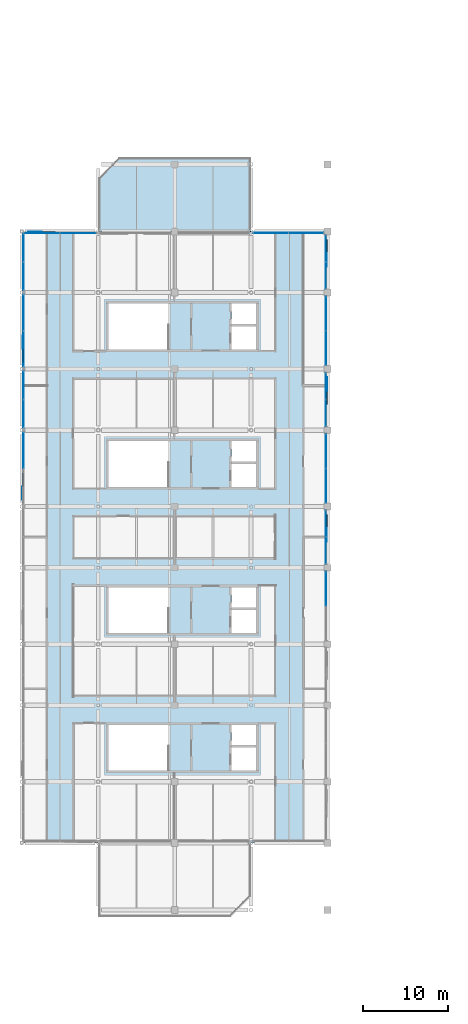
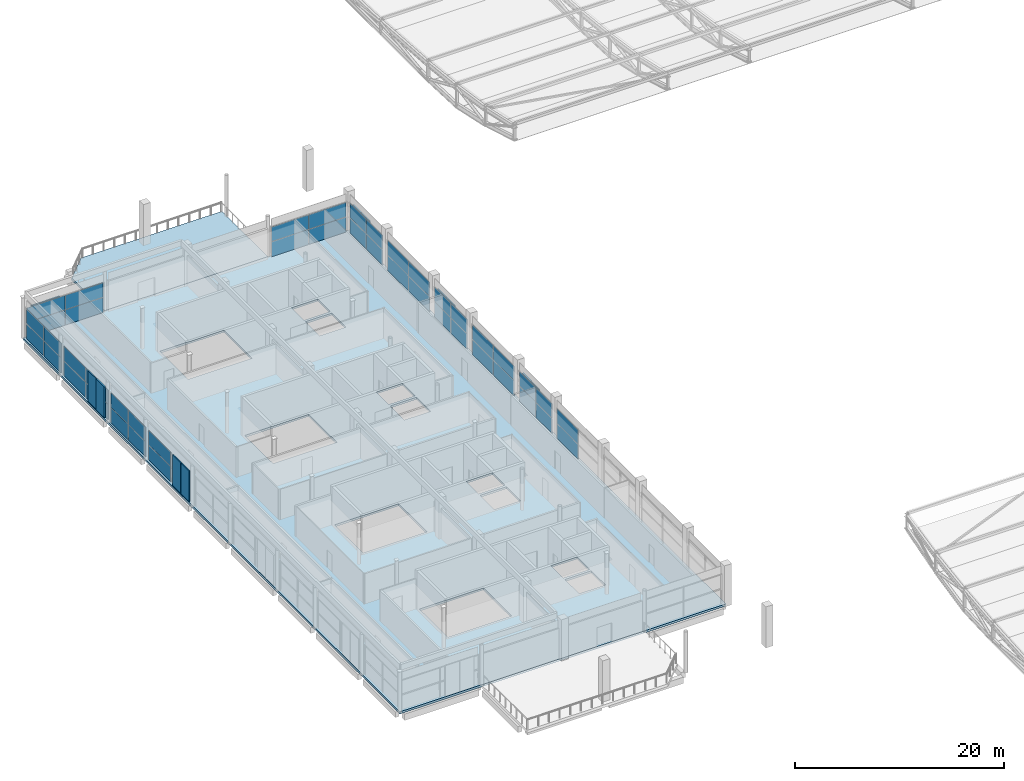
# One storey, part 88 of 114: 56 plates, 2 slabs, 12 elements without a shape of their own.
"""IFC4 building model written with IfcOpenShell, lengths in metres."""

from ifc_helpers import new_model, si_unit, direction, frame, origin, origin_2d, place, context, subcontext, project, spatial, polyline, rectangle, outline, extrude, material, layer, layer_set, type_object, element, aggregate, save


model = new_model("IFC4")

# Units and contexts
model_context = context("Model", 3, precision=1e-05, world=origin(), true_north=direction((0.0, 1.0)))
body_context = subcontext(model_context, "Body", "Model", "MODEL_VIEW")
ifc_project = project(units=[si_unit("LENGTHUNIT", "METRE"), si_unit("AREAUNIT", "SQUARE_METRE"), si_unit("VOLUMEUNIT", "CUBIC_METRE"), si_unit("PLANEANGLEUNIT", "RADIAN"), si_unit("MASSUNIT", "GRAM", prefix="KILO"), si_unit("THERMODYNAMICTEMPERATUREUNIT", "KELVIN"), si_unit("POWERUNIT", "WATT")], contexts=[model_context])

# Site, building, storey
site_placement = place(None, origin())
site = spatial("IfcSite", under=ifc_project, at=site_placement, CompositionType="ELEMENT")
building_placement = place(site_placement, origin())
building = spatial("IfcBuilding", under=site, at=building_placement, Name="Sindhuravela Promenade Stadium", CompositionType="ELEMENT")
storey_placement = place(building_placement, frame((0.0, 0.0, 24.0)))
storey = spatial("IfcBuildingStorey", under=building, at=storey_placement, Name="L05", CompositionType="ELEMENT", Elevation=24.0)

# Plates
ifc_material_1 = material(Name="Perforated terracotta celosia brick (15 MPa)", Category="masonry")
ifc_layer_1 = layer(ifc_material_1, 0.090087890625)
ifc_layer_set_1 = layer_set([ifc_layer_1], Name="Perforated terracotta celosia brick (15 MPa)")
plate_type_1 = type_object("IfcPlateType", Name="CL-SCR-01", PredefinedType="USERDEFINED", material=ifc_layer_set_1)
for number, where, z_axis, x_axis, name in (
    (1, (0.1201171875, 103.958251953125, 0.0), (0.0, 0.0, 1.0), (0.0, 1.0, 0.0), "Perforated brick celosia screen WEST L05-72"),
    (2, (35.8798828125, 113.64501953125, 0.0), (0.0, 0.0, 1.0), (0.0, -1.0, 0.0), "Perforated brick celosia screen WEST L05-76"),
    (3, (35.8798828125, 81.2451171875, 0.0), (0.0, 0.0, 1.0), (0.0, -1.0, 0.0), "Perforated brick celosia screen WEST L05-80"),
):
    element("IfcPlate", number, at=place(storey_placement, frame(where, z_axis=z_axis, x_axis=x_axis)), inside=storey, type_object=plate_type_1, Name=name, ObjectType="SCREEN PANEL", PredefinedType="USERDEFINED", context=body_context, shape_type="SweptSolid", body=[
        extrude(rectangle(XDim=1.56005859375, YDim=0.090087890625, at=origin_2d()), origin(), (0.0, 0.0, 1.0), 3.580078125),
    ])
ifc_layer_2 = layer(ifc_material_1, 0.114990234375)
ifc_layer_set_2 = layer_set([ifc_layer_2], Name="Perforated terracotta celosia brick (15 MPa)")
plate_type_2 = type_object("IfcPlateType", Name="CL-SCR-02", PredefinedType="USERDEFINED", material=ifc_layer_set_2)
for number, where, z_axis, x_axis, name in (
    (4, (0.1201171875, 86.158203125, 0.0), (0.0, 0.0, 1.0), (0.0, 1.0, 0.0), "Perforated brick celosia screen WEST L05-69"),
    (5, (1.55810546875, 116.8798828125, 0.0), (0.0, 0.0, 1.0), (1.0, 0.0, 0.0), "Perforated brick celosia screen WEST L05-73"),
    (6, (35.8798828125, 99.044921875, 0.0), (0.0, 0.0, 1.0), (0.0, -1.0, 0.0), "Perforated brick celosia screen WEST L05-77"),
):
    element("IfcPlate", number, at=place(storey_placement, frame(where, z_axis=z_axis, x_axis=x_axis)), inside=storey, type_object=plate_type_2, Name=name, ObjectType="SCREEN PANEL", PredefinedType="USERDEFINED", context=body_context, shape_type="SweptSolid", body=[
        extrude(rectangle(XDim=1.56005859375, YDim=0.114990234375, at=origin_2d()), origin(), (0.0, 0.0, 1.0), 3.580078125),
    ])
ifc_layer_3 = layer(ifc_material_1, 0.139892578125)
ifc_layer_set_3 = layer_set([ifc_layer_3], Name="Perforated terracotta celosia brick (15 MPa)")
plate_type_3 = type_object("IfcPlateType", Name="CL-SCR-03", PredefinedType="USERDEFINED", material=ifc_layer_set_3)
for number, where, z_axis, x_axis, name in (
    (7, (0.1201171875, 87.75830078125, 0.0), (0.0, 0.0, 1.0), (0.0, 1.0, 0.0), "Perforated brick celosia screen WEST L05-70"),
    (8, (3.158203125, 116.8798828125, 0.0), (0.0, 0.0, 1.0), (1.0, 0.0, 0.0), "Perforated brick celosia screen WEST L05-74"),
    (9, (35.8798828125, 97.445068359375, 0.0), (0.0, 0.0, 1.0), (0.0, -1.0, 0.0), "Perforated brick celosia screen WEST L05-78"),
):
    element("IfcPlate", number, at=place(storey_placement, frame(where, z_axis=z_axis, x_axis=x_axis)), inside=storey, type_object=plate_type_3, Name=name, ObjectType="SCREEN PANEL", PredefinedType="USERDEFINED", context=body_context, shape_type="SweptSolid", body=[
        extrude(rectangle(XDim=1.56005859375, YDim=0.139892578125, at=origin_2d()), origin(), (0.0, 0.0, 1.0), 3.580078125),
    ])
ifc_layer_4 = layer(ifc_material_1, 0.1650390625)
ifc_layer_set_4 = layer_set([ifc_layer_4], Name="Perforated terracotta celosia brick (15 MPa)")
plate_type_4 = type_object("IfcPlateType", Name="CL-SCR-04", PredefinedType="USERDEFINED", material=ifc_layer_set_4)
for number, where, z_axis, x_axis, name in (
    (10, (0.1201171875, 102.358154296875, 0.0), (0.0, 0.0, 1.0), (0.0, 1.0, 0.0), "Perforated brick celosia screen WEST L05-71"),
    (11, (35.8798828125, 115.2451171875, 0.0), (0.0, 0.0, 1.0), (0.0, -1.0, 0.0), "Perforated brick celosia screen WEST L05-75"),
    (12, (35.8798828125, 82.844970703125, 0.0), (0.0, 0.0, 1.0), (0.0, -1.0, 0.0), "Perforated brick celosia screen WEST L05-79"),
):
    element("IfcPlate", number, at=place(storey_placement, frame(where, z_axis=z_axis, x_axis=x_axis)), inside=storey, type_object=plate_type_4, Name=name, ObjectType="SCREEN PANEL", PredefinedType="USERDEFINED", context=body_context, shape_type="SweptSolid", body=[
        extrude(rectangle(XDim=1.56005859375, YDim=0.1650390625, at=origin_2d()), origin(), (0.0, 0.0, 1.0), 3.580078125),
    ])

# Curtain wall, plates
ifc_material_2 = material(Name="Anodised architectural aluminium 6063-T6", Category="aluminium")
curtain_wall_type_1 = type_object("IfcCurtainWallType", Name="CW-MOD-7", PredefinedType="NOTDEFINED", material=ifc_material_2)
curtain_wall_1_placement = place(storey_placement, origin())
curtain_wall_1 = element("IfcCurtainWall", 13, at=curtain_wall_1_placement, inside=storey, type_object=curtain_wall_type_1, Name="Bronze curtain wall CW-WEST-L05-070", PredefinedType="NOTDEFINED")
ifc_material_3 = material(Name="Tempered laminated low-E glass", Category="glass")
ifc_layer_5 = layer(ifc_material_3, 0.028076171875)
ifc_layer_set_5 = layer_set([ifc_layer_5], Name="Tempered laminated low-E glass")
plate_type_5 = type_object("IfcPlateType", Name="CW-PNL-01", PredefinedType="CURTAIN_PANEL", material=ifc_layer_set_5)
plate_1_placement = place(storey_placement, frame((0.199951171875, 91.223388671875, 0.01513671875), z_axis=(0.0, 0.0, 1.0), x_axis=(0.0, 1.0, 0.0)))
plate_1 = element("IfcPlate", 14, at=plate_1_placement, type_object=plate_type_5, Name="Glazed curtain panel CW-WEST-L05-070-P2.1", PredefinedType="CURTAIN_PANEL", context=body_context, shape_type="SweptSolid", body=[
    extrude(rectangle(XDim=4.18701171875, YDim=0.028076171875, at=origin_2d()), origin(), (0.0, 0.0, 1.0), 1.760009765625),
])
plate_2_placement = place(storey_placement, frame((0.199951171875, 91.223388671875, 1.80517578125), z_axis=(0.0, 0.0, 1.0), x_axis=(0.0, 1.0, 0.0)))
plate_2 = element("IfcPlate", 15, at=plate_2_placement, type_object=plate_type_5, Name="Glazed curtain panel CW-WEST-L05-070-P2.2", PredefinedType="CURTAIN_PANEL", context=body_context, shape_type="SweptSolid", body=[
    extrude(rectangle(XDim=4.18701171875, YDim=0.028076171875, at=origin_2d()), origin(), (0.0, 0.0, 1.0), 1.679931640625),
])
aggregate(curtain_wall_1, [plate_1, plate_2])

curtain_wall_type_2 = type_object("IfcCurtainWallType", Name="CW-MOD-1", PredefinedType="NOTDEFINED", material=ifc_material_2)
curtain_wall_2_placement = place(storey_placement, origin())
curtain_wall_2 = element("IfcCurtainWall", 16, at=curtain_wall_2_placement, inside=storey, type_object=curtain_wall_type_2, Name="Bronze curtain wall CW-WEST-L05-072", PredefinedType="NOTDEFINED")
plate_3_placement = place(storey_placement, frame((0.199951171875, 103.176513671875, 0.01513671875), z_axis=(0.0, 0.0, 1.0), x_axis=(0.0, 1.0, 0.0)))
plate_3 = element("IfcPlate", 17, at=plate_3_placement, type_object=plate_type_5, Name="Glazed curtain panel CW-WEST-L05-072-P1.1", PredefinedType="CURTAIN_PANEL", context=body_context, shape_type="SweptSolid", body=[
    extrude(rectangle(XDim=4.18701171875, YDim=0.028076171875, at=origin_2d()), origin(), (0.0, 0.0, 1.0), 1.760009765625),
])
plate_4_placement = place(storey_placement, frame((0.199951171875, 103.176513671875, 1.80517578125), z_axis=(0.0, 0.0, 1.0), x_axis=(0.0, 1.0, 0.0)))
plate_4 = element("IfcPlate", 18, at=plate_4_placement, type_object=plate_type_5, Name="Glazed curtain panel CW-WEST-L05-072-P1.2", PredefinedType="CURTAIN_PANEL", context=body_context, shape_type="SweptSolid", body=[
    extrude(rectangle(XDim=4.18701171875, YDim=0.028076171875, at=origin_2d()), origin(), (0.0, 0.0, 1.0), 1.679931640625),
])
plate_5_placement = place(storey_placement, frame((0.199951171875, 107.42333984375, 0.01513671875), z_axis=(0.0, 0.0, 1.0), x_axis=(0.0, 1.0, 0.0)))
plate_5 = element("IfcPlate", 19, at=plate_5_placement, type_object=plate_type_5, Name="Glazed curtain panel CW-WEST-L05-072-P2.1", PredefinedType="CURTAIN_PANEL", context=body_context, shape_type="SweptSolid", body=[
    extrude(rectangle(XDim=4.18701171875, YDim=0.028076171875, at=origin_2d()), origin(), (0.0, 0.0, 1.0), 1.760009765625),
])
plate_6_placement = place(storey_placement, frame((0.199951171875, 107.42333984375, 1.80517578125), z_axis=(0.0, 0.0, 1.0), x_axis=(0.0, 1.0, 0.0)))
plate_6 = element("IfcPlate", 20, at=plate_6_placement, type_object=plate_type_5, Name="Glazed curtain panel CW-WEST-L05-072-P2.2", PredefinedType="CURTAIN_PANEL", context=body_context, shape_type="SweptSolid", body=[
    extrude(rectangle(XDim=4.18701171875, YDim=0.028076171875, at=origin_2d()), origin(), (0.0, 0.0, 1.0), 1.679931640625),
])
aggregate(curtain_wall_2, [plate_3, plate_4, plate_5, plate_6])

curtain_wall_type_3 = type_object("IfcCurtainWallType", Name="CW-MOD-3", PredefinedType="NOTDEFINED", material=ifc_material_2)
curtain_wall_3_placement = place(storey_placement, origin())
curtain_wall_3 = element("IfcCurtainWall", 21, at=curtain_wall_3_placement, inside=storey, type_object=curtain_wall_type_3, Name="Bronze curtain wall CW-WEST-L05-074", PredefinedType="NOTDEFINED")
plate_7_placement = place(storey_placement, frame((2.376708984375, 116.800048828125, 0.01513671875), z_axis=(0.0, 0.0, 1.0), x_axis=(1.0, 0.0, 0.0)))
plate_7 = element("IfcPlate", 22, at=plate_7_placement, type_object=plate_type_5, Name="Glazed curtain panel CW-WEST-L05-074-P1.1", PredefinedType="CURTAIN_PANEL", context=body_context, shape_type="SweptSolid", body=[
    extrude(rectangle(XDim=4.18701171875, YDim=0.028076171875, at=origin_2d()), origin(), (0.0, 0.0, 1.0), 1.760009765625),
])
plate_8_placement = place(storey_placement, frame((2.376708984375, 116.800048828125, 1.80517578125), z_axis=(0.0, 0.0, 1.0), x_axis=(1.0, 0.0, 0.0)))
plate_8 = element("IfcPlate", 23, at=plate_8_placement, type_object=plate_type_5, Name="Glazed curtain panel CW-WEST-L05-074-P1.2", PredefinedType="CURTAIN_PANEL", context=body_context, shape_type="SweptSolid", body=[
    extrude(rectangle(XDim=4.18701171875, YDim=0.028076171875, at=origin_2d()), origin(), (0.0, 0.0, 1.0), 1.679931640625),
])
plate_9_placement = place(storey_placement, frame((6.623291015625, 116.800048828125, 0.01513671875), z_axis=(0.0, 0.0, 1.0), x_axis=(1.0, 0.0, 0.0)))
plate_9 = element("IfcPlate", 24, at=plate_9_placement, type_object=plate_type_5, Name="Glazed curtain panel CW-WEST-L05-074-P2.1", PredefinedType="CURTAIN_PANEL", context=body_context, shape_type="SweptSolid", body=[
    extrude(rectangle(XDim=4.18701171875, YDim=0.028076171875, at=origin_2d()), origin(), (0.0, 0.0, 1.0), 1.760009765625),
])
plate_10_placement = place(storey_placement, frame((6.623291015625, 116.800048828125, 1.80517578125), z_axis=(0.0, 0.0, 1.0), x_axis=(1.0, 0.0, 0.0)))
plate_10 = element("IfcPlate", 25, at=plate_10_placement, type_object=plate_type_5, Name="Glazed curtain panel CW-WEST-L05-074-P2.2", PredefinedType="CURTAIN_PANEL", context=body_context, shape_type="SweptSolid", body=[
    extrude(rectangle(XDim=4.18701171875, YDim=0.028076171875, at=origin_2d()), origin(), (0.0, 0.0, 1.0), 1.679931640625),
])
aggregate(curtain_wall_3, [plate_7, plate_8, plate_9, plate_10])

curtain_wall_type_4 = type_object("IfcCurtainWallType", Name="CW-MOD-5", PredefinedType="NOTDEFINED", material=ifc_material_2)
curtain_wall_4_placement = place(storey_placement, origin())
curtain_wall_4 = element("IfcCurtainWall", 26, at=curtain_wall_4_placement, inside=storey, type_object=curtain_wall_type_4, Name="Bronze curtain wall CW-WEST-L05-076", PredefinedType="NOTDEFINED")
plate_11_placement = place(storey_placement, frame((35.800048828125, 114.97509765625, 0.01513671875), z_axis=(0.0, 0.0, 1.0), x_axis=(0.0, -1.0, 0.0)))
plate_11 = element("IfcPlate", 27, at=plate_11_placement, type_object=plate_type_5, Name="Glazed curtain panel CW-WEST-L05-076-P1.1", PredefinedType="CURTAIN_PANEL", context=body_context, shape_type="SweptSolid", body=[
    extrude(rectangle(XDim=3.090087890625, YDim=0.028076171875, at=origin_2d()), origin(), (0.0, 0.0, 1.0), 1.760009765625),
])
plate_12_placement = place(storey_placement, frame((35.800048828125, 114.97509765625, 1.80517578125), z_axis=(0.0, 0.0, 1.0), x_axis=(0.0, -1.0, 0.0)))
plate_12 = element("IfcPlate", 28, at=plate_12_placement, type_object=plate_type_5, Name="Glazed curtain panel CW-WEST-L05-076-P1.2", PredefinedType="CURTAIN_PANEL", context=body_context, shape_type="SweptSolid", body=[
    extrude(rectangle(XDim=3.090087890625, YDim=0.028076171875, at=origin_2d()), origin(), (0.0, 0.0, 1.0), 1.679931640625),
])
plate_13_placement = place(storey_placement, frame((35.800048828125, 111.824951171875, 0.01513671875), z_axis=(0.0, 0.0, 1.0), x_axis=(0.0, -1.0, 0.0)))
plate_13 = element("IfcPlate", 29, at=plate_13_placement, type_object=plate_type_5, Name="Glazed curtain panel CW-WEST-L05-076-P2.1", PredefinedType="CURTAIN_PANEL", context=body_context, shape_type="SweptSolid", body=[
    extrude(rectangle(XDim=3.090087890625, YDim=0.028076171875, at=origin_2d()), origin(), (0.0, 0.0, 1.0), 1.760009765625),
])
plate_14_placement = place(storey_placement, frame((35.800048828125, 111.824951171875, 1.80517578125), z_axis=(0.0, 0.0, 1.0), x_axis=(0.0, -1.0, 0.0)))
plate_14 = element("IfcPlate", 30, at=plate_14_placement, type_object=plate_type_5, Name="Glazed curtain panel CW-WEST-L05-076-P2.2", PredefinedType="CURTAIN_PANEL", context=body_context, shape_type="SweptSolid", body=[
    extrude(rectangle(XDim=3.090087890625, YDim=0.028076171875, at=origin_2d()), origin(), (0.0, 0.0, 1.0), 1.679931640625),
])
aggregate(curtain_wall_4, [plate_11, plate_12, plate_13, plate_14])

curtain_wall_5_placement = place(storey_placement, origin())
curtain_wall_5 = element("IfcCurtainWall", 31, at=curtain_wall_5_placement, inside=storey, type_object=curtain_wall_type_1, Name="Bronze curtain wall CW-WEST-L05-078", PredefinedType="NOTDEFINED")
plate_15_placement = place(storey_placement, frame((35.800048828125, 98.77490234375, 0.01513671875), z_axis=(0.0, 0.0, 1.0), x_axis=(0.0, -1.0, 0.0)))
plate_15 = element("IfcPlate", 32, at=plate_15_placement, type_object=plate_type_5, Name="Glazed curtain panel CW-WEST-L05-078-P1.1", PredefinedType="CURTAIN_PANEL", context=body_context, shape_type="SweptSolid", body=[
    extrude(rectangle(XDim=3.090087890625, YDim=0.028076171875, at=origin_2d()), origin(), (0.0, 0.0, 1.0), 1.760009765625),
])
plate_16_placement = place(storey_placement, frame((35.800048828125, 98.77490234375, 1.80517578125), z_axis=(0.0, 0.0, 1.0), x_axis=(0.0, -1.0, 0.0)))
plate_16 = element("IfcPlate", 33, at=plate_16_placement, type_object=plate_type_5, Name="Glazed curtain panel CW-WEST-L05-078-P1.2", PredefinedType="CURTAIN_PANEL", context=body_context, shape_type="SweptSolid", body=[
    extrude(rectangle(XDim=3.090087890625, YDim=0.028076171875, at=origin_2d()), origin(), (0.0, 0.0, 1.0), 1.679931640625),
])
plate_17_placement = place(storey_placement, frame((35.800048828125, 95.625, 0.01513671875), z_axis=(0.0, 0.0, 1.0), x_axis=(0.0, -1.0, 0.0)))
plate_17 = element("IfcPlate", 34, at=plate_17_placement, type_object=plate_type_5, Name="Glazed curtain panel CW-WEST-L05-078-P2.1", PredefinedType="CURTAIN_PANEL", context=body_context, shape_type="SweptSolid", body=[
    extrude(rectangle(XDim=3.090087890625, YDim=0.028076171875, at=origin_2d()), origin(), (0.0, 0.0, 1.0), 1.760009765625),
])
plate_18_placement = place(storey_placement, frame((35.800048828125, 95.625, 1.80517578125), z_axis=(0.0, 0.0, 1.0), x_axis=(0.0, -1.0, 0.0)))
plate_18 = element("IfcPlate", 35, at=plate_18_placement, type_object=plate_type_5, Name="Glazed curtain panel CW-WEST-L05-078-P2.2", PredefinedType="CURTAIN_PANEL", context=body_context, shape_type="SweptSolid", body=[
    extrude(rectangle(XDim=3.090087890625, YDim=0.028076171875, at=origin_2d()), origin(), (0.0, 0.0, 1.0), 1.679931640625),
])
aggregate(curtain_wall_5, [plate_15, plate_16, plate_17, plate_18])

curtain_wall_6_placement = place(storey_placement, origin())
curtain_wall_6 = element("IfcCurtainWall", 36, at=curtain_wall_6_placement, inside=storey, type_object=curtain_wall_type_2, Name="Bronze curtain wall CW-WEST-L05-080", PredefinedType="NOTDEFINED")
plate_19_placement = place(storey_placement, frame((35.800048828125, 82.574951171875, 0.01513671875), z_axis=(0.0, 0.0, 1.0), x_axis=(0.0, -1.0, 0.0)))
plate_19 = element("IfcPlate", 37, at=plate_19_placement, type_object=plate_type_5, Name="Glazed curtain panel CW-WEST-L05-080-P1.1", PredefinedType="CURTAIN_PANEL", context=body_context, shape_type="SweptSolid", body=[
    extrude(rectangle(XDim=3.090087890625, YDim=0.028076171875, at=origin_2d()), origin(), (0.0, 0.0, 1.0), 1.760009765625),
])
plate_20_placement = place(storey_placement, frame((35.800048828125, 82.574951171875, 1.80517578125), z_axis=(0.0, 0.0, 1.0), x_axis=(0.0, -1.0, 0.0)))
plate_20 = element("IfcPlate", 38, at=plate_20_placement, type_object=plate_type_5, Name="Glazed curtain panel CW-WEST-L05-080-P1.2", PredefinedType="CURTAIN_PANEL", context=body_context, shape_type="SweptSolid", body=[
    extrude(rectangle(XDim=3.090087890625, YDim=0.028076171875, at=origin_2d()), origin(), (0.0, 0.0, 1.0), 1.679931640625),
])
plate_21_placement = place(storey_placement, frame((35.800048828125, 79.425048828125, 0.01513671875), z_axis=(0.0, 0.0, 1.0), x_axis=(0.0, -1.0, 0.0)))
plate_21 = element("IfcPlate", 39, at=plate_21_placement, type_object=plate_type_5, Name="Glazed curtain panel CW-WEST-L05-080-P2.1", PredefinedType="CURTAIN_PANEL", context=body_context, shape_type="SweptSolid", body=[
    extrude(rectangle(XDim=3.090087890625, YDim=0.028076171875, at=origin_2d()), origin(), (0.0, 0.0, 1.0), 1.760009765625),
])
plate_22_placement = place(storey_placement, frame((35.800048828125, 79.425048828125, 1.80517578125), z_axis=(0.0, 0.0, 1.0), x_axis=(0.0, -1.0, 0.0)))
plate_22 = element("IfcPlate", 40, at=plate_22_placement, type_object=plate_type_5, Name="Glazed curtain panel CW-WEST-L05-080-P2.2", PredefinedType="CURTAIN_PANEL", context=body_context, shape_type="SweptSolid", body=[
    extrude(rectangle(XDim=3.090087890625, YDim=0.028076171875, at=origin_2d()), origin(), (0.0, 0.0, 1.0), 1.679931640625),
])
aggregate(curtain_wall_6, [plate_19, plate_20, plate_21, plate_22])

curtain_wall_type_5 = type_object("IfcCurtainWallType", Name="CW-MOD-8", PredefinedType="NOTDEFINED", material=ifc_material_2)
curtain_wall_7_placement = place(storey_placement, origin())
curtain_wall_7 = element("IfcCurtainWall", 41, at=curtain_wall_7_placement, inside=storey, type_object=curtain_wall_type_5, Name="Bronze curtain wall CW-WEST-L05-071", PredefinedType="NOTDEFINED")
ifc_layer_6 = layer(ifc_material_3, 0.0400390625)
ifc_layer_set_6 = layer_set([ifc_layer_6], Name="Tempered laminated low-E glass")
plate_type_6 = type_object("IfcPlateType", Name="CW-PNL-02", PredefinedType="CURTAIN_PANEL", material=ifc_layer_set_6)
plate_23_placement = place(storey_placement, frame((0.199951171875, 95.526611328125, 0.01513671875), z_axis=(0.0, 0.0, 1.0), x_axis=(0.0, 1.0, 0.0)))
plate_23 = element("IfcPlate", 42, at=plate_23_placement, type_object=plate_type_6, Name="Glazed curtain panel CW-WEST-L05-071-P1.1", PredefinedType="CURTAIN_PANEL", context=body_context, shape_type="SweptSolid", body=[
    extrude(rectangle(XDim=3.287109375, YDim=0.0400390625, at=origin_2d()), origin(), (0.0, 0.0, 1.0), 1.760009765625),
])
plate_24_placement = place(storey_placement, frame((0.199951171875, 95.526611328125, 1.80517578125), z_axis=(0.0, 0.0, 1.0), x_axis=(0.0, 1.0, 0.0)))
plate_24 = element("IfcPlate", 43, at=plate_24_placement, type_object=plate_type_6, Name="Glazed curtain panel CW-WEST-L05-071-P1.2", PredefinedType="CURTAIN_PANEL", context=body_context, shape_type="SweptSolid", body=[
    extrude(rectangle(XDim=3.287109375, YDim=0.0400390625, at=origin_2d()), origin(), (0.0, 0.0, 1.0), 1.679931640625),
])
plate_25_placement = place(storey_placement, frame((0.199951171875, 98.873291015625, 0.01513671875), z_axis=(0.0, 0.0, 1.0), x_axis=(0.0, 1.0, 0.0)))
plate_25 = element("IfcPlate", 44, at=plate_25_placement, type_object=plate_type_6, Name="Glazed curtain panel CW-WEST-L05-071-P2.1", PredefinedType="CURTAIN_PANEL", context=body_context, shape_type="SweptSolid", body=[
    extrude(rectangle(XDim=3.287109375, YDim=0.0400390625, at=origin_2d()), origin(), (0.0, 0.0, 1.0), 1.760009765625),
])
plate_26_placement = place(storey_placement, frame((0.199951171875, 98.873291015625, 1.80517578125), z_axis=(0.0, 0.0, 1.0), x_axis=(0.0, 1.0, 0.0)))
plate_26 = element("IfcPlate", 45, at=plate_26_placement, type_object=plate_type_6, Name="Glazed curtain panel CW-WEST-L05-071-P2.2", PredefinedType="CURTAIN_PANEL", context=body_context, shape_type="SweptSolid", body=[
    extrude(rectangle(XDim=3.287109375, YDim=0.0400390625, at=origin_2d()), origin(), (0.0, 0.0, 1.0), 1.679931640625),
])
aggregate(curtain_wall_7, [plate_23, plate_24, plate_25, plate_26])

curtain_wall_type_6 = type_object("IfcCurtainWallType", Name="CW-MOD-2", PredefinedType="NOTDEFINED", material=ifc_material_2)
curtain_wall_8_placement = place(storey_placement, origin())
curtain_wall_8 = element("IfcCurtainWall", 46, at=curtain_wall_8_placement, inside=storey, type_object=curtain_wall_type_6, Name="Bronze curtain wall CW-WEST-L05-073", PredefinedType="NOTDEFINED")
plate_27_placement = place(storey_placement, frame((0.199951171875, 111.7265625, 0.01513671875), z_axis=(0.0, 0.0, 1.0), x_axis=(0.0, 1.0, 0.0)))
plate_27 = element("IfcPlate", 47, at=plate_27_placement, type_object=plate_type_6, Name="Glazed curtain panel CW-WEST-L05-073-P1.1", PredefinedType="CURTAIN_PANEL", context=body_context, shape_type="SweptSolid", body=[
    extrude(rectangle(XDim=3.287109375, YDim=0.0400390625, at=origin_2d()), origin(), (0.0, 0.0, 1.0), 1.760009765625),
])
plate_28_placement = place(storey_placement, frame((0.199951171875, 111.7265625, 1.80517578125), z_axis=(0.0, 0.0, 1.0), x_axis=(0.0, 1.0, 0.0)))
plate_28 = element("IfcPlate", 48, at=plate_28_placement, type_object=plate_type_6, Name="Glazed curtain panel CW-WEST-L05-073-P1.2", PredefinedType="CURTAIN_PANEL", context=body_context, shape_type="SweptSolid", body=[
    extrude(rectangle(XDim=3.287109375, YDim=0.0400390625, at=origin_2d()), origin(), (0.0, 0.0, 1.0), 1.679931640625),
])
plate_29_placement = place(storey_placement, frame((0.199951171875, 115.073486328125, 0.01513671875), z_axis=(0.0, 0.0, 1.0), x_axis=(0.0, 1.0, 0.0)))
plate_29 = element("IfcPlate", 49, at=plate_29_placement, type_object=plate_type_6, Name="Glazed curtain panel CW-WEST-L05-073-P2.1", PredefinedType="CURTAIN_PANEL", context=body_context, shape_type="SweptSolid", body=[
    extrude(rectangle(XDim=3.287109375, YDim=0.0400390625, at=origin_2d()), origin(), (0.0, 0.0, 1.0), 1.760009765625),
])
plate_30_placement = place(storey_placement, frame((0.199951171875, 115.073486328125, 1.80517578125), z_axis=(0.0, 0.0, 1.0), x_axis=(0.0, 1.0, 0.0)))
plate_30 = element("IfcPlate", 50, at=plate_30_placement, type_object=plate_type_6, Name="Glazed curtain panel CW-WEST-L05-073-P2.2", PredefinedType="CURTAIN_PANEL", context=body_context, shape_type="SweptSolid", body=[
    extrude(rectangle(XDim=3.287109375, YDim=0.0400390625, at=origin_2d()), origin(), (0.0, 0.0, 1.0), 1.679931640625),
])
aggregate(curtain_wall_8, [plate_27, plate_28, plate_29, plate_30])

curtain_wall_type_7 = type_object("IfcCurtainWallType", Name="CW-MOD-4", PredefinedType="NOTDEFINED", material=ifc_material_2)
curtain_wall_9_placement = place(storey_placement, origin())
curtain_wall_9 = element("IfcCurtainWall", 51, at=curtain_wall_9_placement, inside=storey, type_object=curtain_wall_type_7, Name="Bronze curtain wall CW-WEST-L05-075", PredefinedType="NOTDEFINED")
plate_31_placement = place(storey_placement, frame((29.327392578125, 116.800048828125, 0.01513671875), z_axis=(0.0, 0.0, 1.0), x_axis=(1.0, 0.0, 0.0)))
plate_31 = element("IfcPlate", 52, at=plate_31_placement, type_object=plate_type_6, Name="Glazed curtain panel CW-WEST-L05-075-P1.1", PredefinedType="CURTAIN_PANEL", context=body_context, shape_type="SweptSolid", body=[
    extrude(rectangle(XDim=4.087890625, YDim=0.0400390625, at=origin_2d()), origin(), (0.0, 0.0, 1.0), 1.760009765625),
])
plate_32_placement = place(storey_placement, frame((29.327392578125, 116.800048828125, 1.80517578125), z_axis=(0.0, 0.0, 1.0), x_axis=(1.0, 0.0, 0.0)))
plate_32 = element("IfcPlate", 53, at=plate_32_placement, type_object=plate_type_6, Name="Glazed curtain panel CW-WEST-L05-075-P1.2", PredefinedType="CURTAIN_PANEL", context=body_context, shape_type="SweptSolid", body=[
    extrude(rectangle(XDim=4.087890625, YDim=0.0400390625, at=origin_2d()), origin(), (0.0, 0.0, 1.0), 1.679931640625),
])
plate_33_placement = place(storey_placement, frame((33.475830078125, 116.800048828125, 0.01513671875), z_axis=(0.0, 0.0, 1.0), x_axis=(1.0, 0.0, 0.0)))
plate_33 = element("IfcPlate", 54, at=plate_33_placement, type_object=plate_type_6, Name="Glazed curtain panel CW-WEST-L05-075-P2.1", PredefinedType="CURTAIN_PANEL", context=body_context, shape_type="SweptSolid", body=[
    extrude(rectangle(XDim=4.087890625, YDim=0.0400390625, at=origin_2d()), origin(), (0.0, 0.0, 1.0), 1.760009765625),
])
plate_34_placement = place(storey_placement, frame((33.475830078125, 116.800048828125, 1.80517578125), z_axis=(0.0, 0.0, 1.0), x_axis=(1.0, 0.0, 0.0)))
plate_34 = element("IfcPlate", 55, at=plate_34_placement, type_object=plate_type_6, Name="Glazed curtain panel CW-WEST-L05-075-P2.2", PredefinedType="CURTAIN_PANEL", context=body_context, shape_type="SweptSolid", body=[
    extrude(rectangle(XDim=4.087890625, YDim=0.0400390625, at=origin_2d()), origin(), (0.0, 0.0, 1.0), 1.679931640625),
])
aggregate(curtain_wall_9, [plate_31, plate_32, plate_33, plate_34])

curtain_wall_type_8 = type_object("IfcCurtainWallType", Name="CW-MOD-6", PredefinedType="NOTDEFINED", material=ifc_material_2)
curtain_wall_10_placement = place(storey_placement, origin())
curtain_wall_10 = element("IfcCurtainWall", 56, at=curtain_wall_10_placement, inside=storey, type_object=curtain_wall_type_8, Name="Bronze curtain wall CW-WEST-L05-077", PredefinedType="NOTDEFINED")
plate_35_placement = place(storey_placement, frame((35.800048828125, 107.324951171875, 0.01513671875), z_axis=(0.0, 0.0, 1.0), x_axis=(0.0, -1.0, 0.0)))
plate_35 = element("IfcPlate", 57, at=plate_35_placement, type_object=plate_type_6, Name="Glazed curtain panel CW-WEST-L05-077-P1.1", PredefinedType="CURTAIN_PANEL", context=body_context, shape_type="SweptSolid", body=[
    extrude(rectangle(XDim=3.989990234375, YDim=0.0400390625, at=origin_2d()), origin(), (0.0, 0.0, 1.0), 1.760009765625),
])
plate_36_placement = place(storey_placement, frame((35.800048828125, 107.324951171875, 1.80517578125), z_axis=(0.0, 0.0, 1.0), x_axis=(0.0, -1.0, 0.0)))
plate_36 = element("IfcPlate", 58, at=plate_36_placement, type_object=plate_type_6, Name="Glazed curtain panel CW-WEST-L05-077-P1.2", PredefinedType="CURTAIN_PANEL", context=body_context, shape_type="SweptSolid", body=[
    extrude(rectangle(XDim=3.989990234375, YDim=0.0400390625, at=origin_2d()), origin(), (0.0, 0.0, 1.0), 1.679931640625),
])
plate_37_placement = place(storey_placement, frame((35.800048828125, 103.27490234375, 0.01513671875), z_axis=(0.0, 0.0, 1.0), x_axis=(0.0, -1.0, 0.0)))
plate_37 = element("IfcPlate", 59, at=plate_37_placement, type_object=plate_type_6, Name="Glazed curtain panel CW-WEST-L05-077-P2.1", PredefinedType="CURTAIN_PANEL", context=body_context, shape_type="SweptSolid", body=[
    extrude(rectangle(XDim=3.989990234375, YDim=0.0400390625, at=origin_2d()), origin(), (0.0, 0.0, 1.0), 1.760009765625),
])
plate_38_placement = place(storey_placement, frame((35.800048828125, 103.27490234375, 1.80517578125), z_axis=(0.0, 0.0, 1.0), x_axis=(0.0, -1.0, 0.0)))
plate_38 = element("IfcPlate", 60, at=plate_38_placement, type_object=plate_type_6, Name="Glazed curtain panel CW-WEST-L05-077-P2.2", PredefinedType="CURTAIN_PANEL", context=body_context, shape_type="SweptSolid", body=[
    extrude(rectangle(XDim=3.989990234375, YDim=0.0400390625, at=origin_2d()), origin(), (0.0, 0.0, 1.0), 1.679931640625),
])
aggregate(curtain_wall_10, [plate_35, plate_36, plate_37, plate_38])

curtain_wall_11_placement = place(storey_placement, origin())
curtain_wall_11 = element("IfcCurtainWall", 61, at=curtain_wall_11_placement, inside=storey, type_object=curtain_wall_type_5, Name="Bronze curtain wall CW-WEST-L05-079", PredefinedType="NOTDEFINED")
plate_39_placement = place(storey_placement, frame((35.800048828125, 91.125, 0.01513671875), z_axis=(0.0, 0.0, 1.0), x_axis=(0.0, -1.0, 0.0)))
plate_39 = element("IfcPlate", 62, at=plate_39_placement, type_object=plate_type_6, Name="Glazed curtain panel CW-WEST-L05-079-P1.1", PredefinedType="CURTAIN_PANEL", context=body_context, shape_type="SweptSolid", body=[
    extrude(rectangle(XDim=3.989990234375, YDim=0.0400390625, at=origin_2d()), origin(), (0.0, 0.0, 1.0), 1.760009765625),
])
plate_40_placement = place(storey_placement, frame((35.800048828125, 91.125, 1.80517578125), z_axis=(0.0, 0.0, 1.0), x_axis=(0.0, -1.0, 0.0)))
plate_40 = element("IfcPlate", 63, at=plate_40_placement, type_object=plate_type_6, Name="Glazed curtain panel CW-WEST-L05-079-P1.2", PredefinedType="CURTAIN_PANEL", context=body_context, shape_type="SweptSolid", body=[
    extrude(rectangle(XDim=3.989990234375, YDim=0.0400390625, at=origin_2d()), origin(), (0.0, 0.0, 1.0), 1.679931640625),
])
plate_41_placement = place(storey_placement, frame((35.800048828125, 87.074951171875, 0.01513671875), z_axis=(0.0, 0.0, 1.0), x_axis=(0.0, -1.0, 0.0)))
plate_41 = element("IfcPlate", 64, at=plate_41_placement, type_object=plate_type_6, Name="Glazed curtain panel CW-WEST-L05-079-P2.1", PredefinedType="CURTAIN_PANEL", context=body_context, shape_type="SweptSolid", body=[
    extrude(rectangle(XDim=3.989990234375, YDim=0.0400390625, at=origin_2d()), origin(), (0.0, 0.0, 1.0), 1.760009765625),
])
plate_42_placement = place(storey_placement, frame((35.800048828125, 87.074951171875, 1.80517578125), z_axis=(0.0, 0.0, 1.0), x_axis=(0.0, -1.0, 0.0)))
plate_42 = element("IfcPlate", 65, at=plate_42_placement, type_object=plate_type_6, Name="Glazed curtain panel CW-WEST-L05-079-P2.2", PredefinedType="CURTAIN_PANEL", context=body_context, shape_type="SweptSolid", body=[
    extrude(rectangle(XDim=3.989990234375, YDim=0.0400390625, at=origin_2d()), origin(), (0.0, 0.0, 1.0), 1.679931640625),
])
aggregate(curtain_wall_11, [plate_39, plate_40, plate_41, plate_42])

curtain_wall_12_placement = place(storey_placement, origin())
curtain_wall_12 = element("IfcCurtainWall", 66, at=curtain_wall_12_placement, inside=storey, type_object=curtain_wall_type_6, Name="Bronze curtain wall CW-WEST-L05-081", PredefinedType="NOTDEFINED")
plate_43_placement = place(storey_placement, frame((35.800048828125, 74.925048828125, 0.01513671875), z_axis=(0.0, 0.0, 1.0), x_axis=(0.0, -1.0, 0.0)))
plate_43 = element("IfcPlate", 67, at=plate_43_placement, type_object=plate_type_6, Name="Glazed curtain panel CW-WEST-L05-081-P1.1", PredefinedType="CURTAIN_PANEL", context=body_context, shape_type="SweptSolid", body=[
    extrude(rectangle(XDim=3.989990234375, YDim=0.0400390625, at=origin_2d()), origin(), (0.0, 0.0, 1.0), 1.760009765625),
])
plate_44_placement = place(storey_placement, frame((35.800048828125, 74.925048828125, 1.80517578125), z_axis=(0.0, 0.0, 1.0), x_axis=(0.0, -1.0, 0.0)))
plate_44 = element("IfcPlate", 68, at=plate_44_placement, type_object=plate_type_6, Name="Glazed curtain panel CW-WEST-L05-081-P1.2", PredefinedType="CURTAIN_PANEL", context=body_context, shape_type="SweptSolid", body=[
    extrude(rectangle(XDim=3.989990234375, YDim=0.0400390625, at=origin_2d()), origin(), (0.0, 0.0, 1.0), 1.679931640625),
])
aggregate(curtain_wall_12, [plate_43, plate_44])

# Slabs
ifc_material_4 = material(Name="Concrete M40", Category="concrete")
ifc_layer_7 = layer(ifc_material_4, 0.25)
ifc_layer_set_7 = layer_set([ifc_layer_7], Name="Concrete M40")
slab_type_1 = type_object("IfcSlabType", Name="SL-FLR-250", PredefinedType="FLOOR", material=ifc_layer_set_7)
slab_1_placement = place(storey_placement, frame((0.0, 0.0, -0.25)))
element("IfcSlab", 69, at=slab_1_placement, inside=storey, type_object=slab_type_1, Name="Floor slab WEST L05", PredefinedType="FLOOR", context=body_context, shape_type="SweptSolid", body=[
    extrude(outline(polyline([(0.0, 45.0), (36.0, 45.0), (36.0, 117.0), (0.0, 117.0), (0.0, 45.0)]), holes=[polyline([(10.199951171875, 53.5), (17.249267578125, 53.5), (17.249267578125, 58.89990234375), (10.199951171875, 58.89990234375), (10.199951171875, 53.5)]), polyline([(24.699951171875, 56.5), (27.60009765625, 56.5), (27.60009765625, 58.89990234375), (24.699951171875, 58.89990234375), (24.699951171875, 56.5)]), polyline([(24.699951171875, 53.5), (27.60009765625, 53.5), (27.60009765625, 56.199951171875), (24.699951171875, 56.199951171875), (24.699951171875, 53.5)]), polyline([(10.199951171875, 69.699951171875), (17.249267578125, 69.699951171875), (17.249267578125, 75.10009765625), (10.199951171875, 75.10009765625), (10.199951171875, 69.699951171875)]), polyline([(24.699951171875, 72.699951171875), (27.60009765625, 72.699951171875), (27.60009765625, 75.10009765625), (24.699951171875, 75.10009765625), (24.699951171875, 72.699951171875)]), polyline([(24.699951171875, 69.699951171875), (27.60009765625, 69.699951171875), (27.60009765625, 72.39990234375), (24.699951171875, 72.39990234375), (24.699951171875, 69.699951171875)]), polyline([(10.199951171875, 86.89990234375), (17.249267578125, 86.89990234375), (17.249267578125, 92.300048828125), (10.199951171875, 92.300048828125), (10.199951171875, 86.89990234375)]), polyline([(24.699951171875, 89.89990234375), (27.60009765625, 89.89990234375), (27.60009765625, 92.300048828125), (24.699951171875, 92.300048828125), (24.699951171875, 89.89990234375)]), polyline([(24.699951171875, 86.89990234375), (27.60009765625, 86.89990234375), (27.60009765625, 89.60009765625), (24.699951171875, 89.60009765625), (24.699951171875, 86.89990234375)]), polyline([(10.199951171875, 103.10009765625), (17.249267578125, 103.10009765625), (17.249267578125, 108.5), (10.199951171875, 108.5), (10.199951171875, 103.10009765625)]), polyline([(24.699951171875, 106.10009765625), (27.60009765625, 106.10009765625), (27.60009765625, 108.5), (24.699951171875, 108.5), (24.699951171875, 106.10009765625)]), polyline([(24.699951171875, 103.10009765625), (27.60009765625, 103.10009765625), (27.60009765625, 105.800048828125), (24.699951171875, 105.800048828125), (24.699951171875, 103.10009765625)])]), origin(), (0.0, 0.0, 1.0), 0.25),
])
ifc_layer_8 = layer(ifc_material_4, 0.27001953125)
ifc_layer_set_8 = layer_set([ifc_layer_8], Name="Concrete M40")
slab_type_2 = type_object("IfcSlabType", Name="SL-TER-270", PredefinedType="FLOOR", material=ifc_layer_set_8)
slab_2_placement = place(storey_placement, frame((0.0, 0.0, -0.27001953125)))
element("IfcSlab", 70, at=slab_2_placement, inside=storey, type_object=slab_type_2, Name="West Stand North Observation Terrace", PredefinedType="FLOOR", context=body_context, shape_type="SweptSolid", body=[
    extrude(outline(polyline([(9.0, 117.0), (27.0, 117.0), (27.0, 125.75), (11.449951171875, 125.75), (9.0, 123.300048828125), (9.0, 117.0)])), origin(), (0.0, 0.0, 1.0), 0.27001953125),
])

save(model, "model.ifc")
